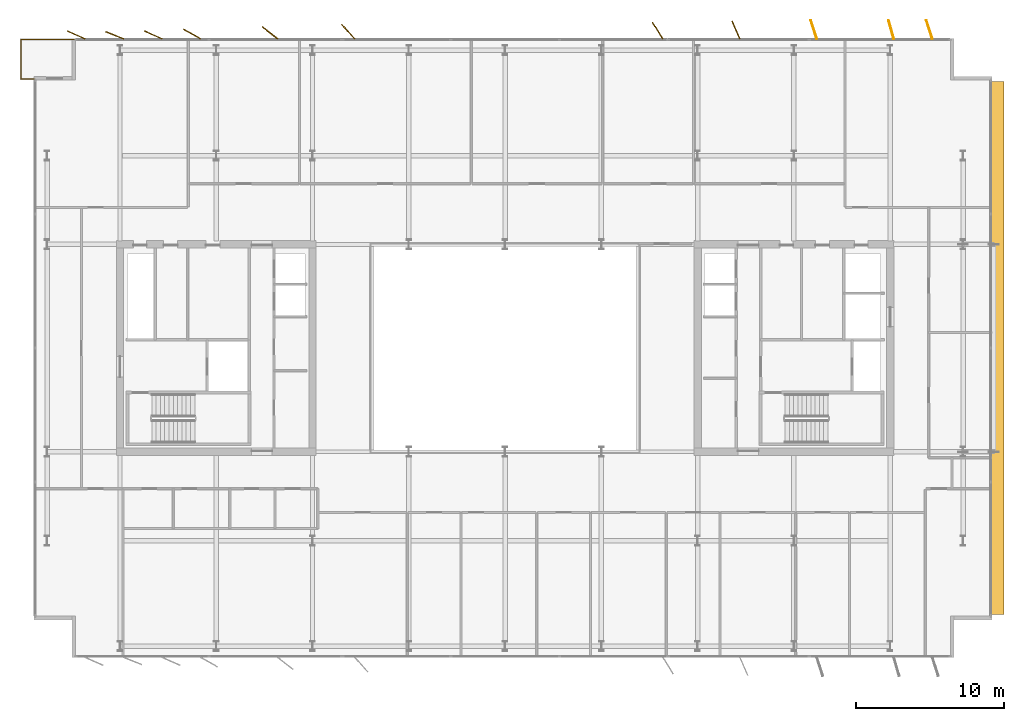
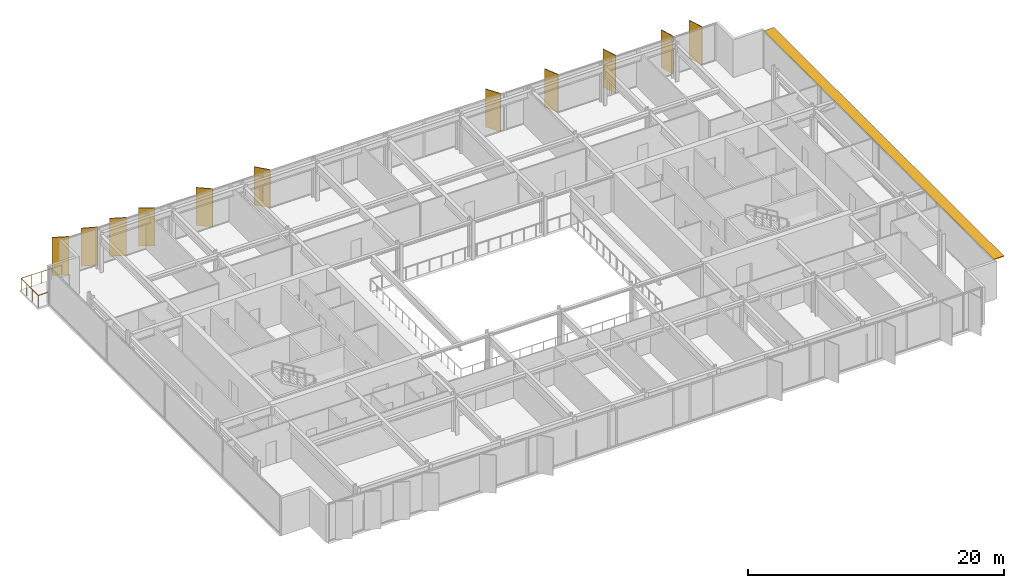
# One storey, part 20 of 20: 12 shading devices, 1 railing.
"""IFC4 building model written with IfcOpenShell, lengths in metres."""

from ifc_helpers import new_model, si_unit, direction, frame, origin, origin_2d, place, context, subcontext, project, spatial, polyline, rectangle, circle, outline, extrude, material, layer, layer_set, type_object, element, save


model = new_model("IFC4")

# Units and contexts
model_context = context("Model", 3, precision=1e-05, world=origin(), true_north=direction((0.0, 1.0)))
body_context = subcontext(model_context, "Body", "Model", "MODEL_VIEW")
ifc_project = project(units=[si_unit("LENGTHUNIT", "METRE"), si_unit("AREAUNIT", "SQUARE_METRE"), si_unit("VOLUMEUNIT", "CUBIC_METRE"), si_unit("PLANEANGLEUNIT", "RADIAN"), si_unit("MASSUNIT", "GRAM", prefix="KILO")], contexts=[model_context])

# Site, building, storey
site_placement = place(None, origin())
site = spatial("IfcSite", under=ifc_project, at=site_placement, CompositionType="ELEMENT")
building_placement = place(site_placement, origin())
building = spatial("IfcBuilding", under=site, at=building_placement, Name="Putna Gate Headquarters", CompositionType="ELEMENT")
storey_placement = place(building_placement, frame((0.0, 0.0, 274.60009765625)))
storey = spatial("IfcBuildingStorey", under=building, at=storey_placement, Name="L69", CompositionType="ELEMENT", Elevation=274.60009765625)

# Railing
ifc_material_1 = material(Name="Anodised bronze steel and laminated glass guardrail", Category="steel")
railing_type = type_object("IfcRailingType", Name="RAIL-TERR-GUARD-1150", PredefinedType="GUARDRAIL", material=ifc_material_1)
railing_placement = place(storey_placement, frame((7.199951171875, 44.159912109375, 0.0)))
element("IfcRailing", 1, at=railing_placement, inside=storey, type_object=railing_type, Name="L69 Spiral Sky Terrace Guardrail NW", PredefinedType="GUARDRAIL", context=body_context, shape_type="SweptSolid", body=[
    extrude(circle(Radius=0.02392578125, at=origin_2d()), frame((0.0, 0.0, 1.1259765625), z_axis=(-1.0, 0.0, 0.0), x_axis=(0.0, -1.0, 0.0)), (0.0, 0.0, 1.0), 0.889892578125),
    extrude(circle(Radius=0.02392578125, at=origin_2d()), frame((-0.889892578125, 0.0, 1.1259765625), z_axis=(0.0, 1.0, 0.0), x_axis=(-1.0, 0.0, 0.0)), (0.0, 0.0, 1.0), 2.68017578125),
    extrude(circle(Radius=0.02392578125, at=origin_2d()), frame((-0.889892578125, 2.68017578125, 1.1259765625), z_axis=(1.0, 0.0, 0.0), x_axis=(0.0, 1.0, 0.0)), (0.0, 0.0, 1.0), 3.68994140625),
    extrude(circle(Radius=0.02099609375, at=origin_2d()), origin(), (0.0, 0.0, 1.0), 1.101806640625),
    extrude(circle(Radius=0.02099609375, at=origin_2d()), frame((-0.889892578125, 0.0, 0.0)), (0.0, 0.0, 1.0), 1.101806640625),
    extrude(circle(Radius=0.02099609375, at=origin_2d()), frame((-0.889892578125, 0.893310546875, 0.0)), (0.0, 0.0, 1.0), 1.101806640625),
    extrude(circle(Radius=0.02099609375, at=origin_2d()), frame((-0.889892578125, 1.786865234375, 0.0)), (0.0, 0.0, 1.0), 1.101806640625),
    extrude(circle(Radius=0.02099609375, at=origin_2d()), frame((-0.889892578125, 2.68017578125, 0.0)), (0.0, 0.0, 1.0), 1.101806640625),
    extrude(circle(Radius=0.02099609375, at=origin_2d()), frame((0.03271484375, 2.68017578125, 0.0)), (0.0, 0.0, 1.0), 1.101806640625),
    extrude(circle(Radius=0.02099609375, at=origin_2d()), frame((0.955078125, 2.68017578125, 0.0)), (0.0, 0.0, 1.0), 1.101806640625),
    extrude(circle(Radius=0.02099609375, at=origin_2d()), frame((1.87744140625, 2.68017578125, 0.0)), (0.0, 0.0, 1.0), 1.101806640625),
    extrude(circle(Radius=0.02099609375, at=origin_2d()), frame((2.800048828125, 2.68017578125, 0.0)), (0.0, 0.0, 1.0), 1.101806640625),
])

# Shading devices
ifc_material_2 = material(Name="Anodised architectural bronze aluminium fin", Category="aluminium")
ifc_layer_1 = layer(ifc_material_2, 0.06494140625)
ifc_layer_set_1 = layer_set([ifc_layer_1], Name="Anodised architectural bronze aluminium fin")
shading_device_type_1 = type_object("IfcShadingDeviceType", Name="SHADE-BRONZE-FIN-1320", PredefinedType="USERDEFINED", material=ifc_layer_set_1)
for number, where, z_axis, x_axis, name in (
    (2, (10.047119140625, 47.143310546875, -0.02001953125), (0.0, 0.0, 1.0), (-0.913687379856, 0.40641773078, 0.0), "L69 Bronze Vertical Shading Fin N1"),
    (3, (12.63818359375, 47.122314453125, -0.02001953125), (0.0, 0.0, 1.0), (-0.927183854567, 0.374606593416, 0.0), "L69 Bronze Vertical Shading Fin N2"),
    (4, (15.2470703125, 47.143310546875, -0.02001953125), (0.0, 0.0, 1.0), (-0.913687379856, 0.40641773078, 0.0), "L69 Bronze Vertical Shading Fin N3"),
    (5, (17.876220703125, 47.201171875, -0.02001953125), (0.0, 0.0, 1.0), (-0.869322458298, 0.494245347472, 0.0), "L69 Bronze Vertical Shading Fin N4"),
    (6, (23.13037109375, 47.28173828125, -0.02001953125), (0.0, 0.0, 1.0), (-0.787473187632, 0.616348909921, 0.0), "L69 Bronze Vertical Shading Fin N5"),
    (7, (28.408447265625, 47.365478515625, -0.02001953125), (0.0, 0.0, 1.0), (-0.669130606359, 0.743144825477, 0.0), "L69 Bronze Vertical Shading Fin N6"),
    (8, (49.2998046875, 47.434326171875, -0.02001953125), (0.0, 0.0, 1.0), (-0.530659123936, 0.847585331506, 0.0), "L69 Bronze Vertical Shading Fin N7"),
    (9, (54.585693359375, 47.479736328125, -0.02001953125), (0.0, 0.0, 1.0), (-0.400668879095, 0.916222925562, 0.0), "L69 Bronze Vertical Shading Fin N8"),
    (10, (59.84619140625, 47.502685546875, -0.02001953125), (0.0, 0.0, 1.0), (-0.308684994204, 0.951164325631, 0.0), "L69 Bronze Vertical Shading Fin N9"),
    (11, (65.068115234375, 47.509521484375, -0.02001953125), (0.0, 0.0, 1.0), (-0.275637355817, 0.961261695938, 0.0), "L69 Bronze Vertical Shading Fin N10"),
    (12, (67.646240234375, 47.502685546875, -0.02001953125), (0.0, 0.0, 1.0), (-0.308684994204, 0.951164325631, 0.0), "L69 Bronze Vertical Shading Fin N11"),
):
    element("IfcShadingDevice", number, at=place(storey_placement, frame(where, z_axis=z_axis, x_axis=x_axis)), inside=storey, type_object=shading_device_type_1, Name=name, ObjectType="FIN", PredefinedType="USERDEFINED", context=body_context, shape_type="SweptSolid", body=[
        extrude(rectangle(XDim=1.320068359375, YDim=0.06494140625, at=origin_2d()), origin(), (0.0, 0.0, 1.0), 3.6279296875),
    ])
ifc_material_3 = material(Name="Anodised architectural bronze sunshade blade", Category="aluminium")
ifc_layer_2 = layer(ifc_material_3, 0.06005859375)
ifc_layer_set_2 = layer_set([ifc_layer_2], Name="Anodised architectural bronze sunshade blade")
shading_device_type_2 = type_object("IfcShadingDeviceType", Name="SHADE-SAIL-BLADE-900", PredefinedType="USERDEFINED", material=ifc_layer_set_2)
shading_device_placement = place(storey_placement, frame((0.0, 0.0, 3.532958984375)))
element("IfcShadingDevice", 13, at=shading_device_placement, inside=storey, type_object=shading_device_type_2, Name="L69 East Sail Horizontal Bronze Sunshade Blade", ObjectType="SUNSHADE", PredefinedType="USERDEFINED", context=body_context, shape_type="SweptSolid", body=[
    extrude(outline(polyline([(71.784912109375, 8.0), (72.684814453125, 8.0), (72.684814453125, 44.0), (71.784912109375, 44.0), (71.784912109375, 8.0)])), origin(), (0.0, 0.0, 1.0), 0.06005859375),
])

save(model, "model.ifc")
